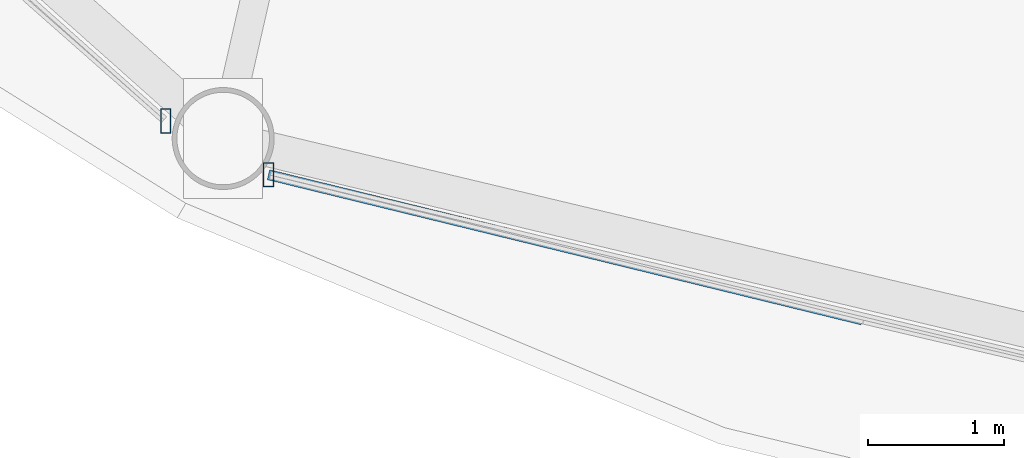
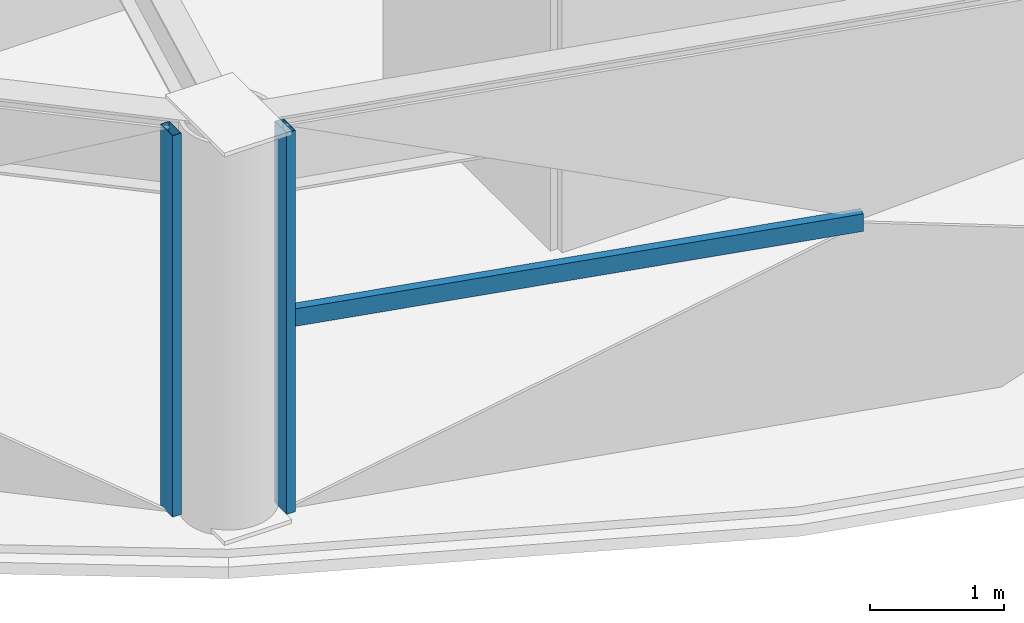
# One storey, part 2 of 29: 3 members, 2 elements without a shape of their own.
"""IFC4 building model written with IfcOpenShell, lengths in metres."""

from ifc_helpers import new_model, si_unit, direction, frame, origin, origin_2d, place, context, subcontext, project, spatial, hollow_rectangle, extrude, material, layer, layer_set, material_profile, profile_set, type_object, element, aggregate, save


model = new_model("IFC4")

# Units and contexts
model_context = context("Model", 3, precision=1e-05, world=origin(), true_north=direction((0.0, 1.0)))
body_context = subcontext(model_context, "Body", "Model", "MODEL_VIEW")
ifc_project = project(units=[si_unit("LENGTHUNIT", "METRE"), si_unit("AREAUNIT", "SQUARE_METRE"), si_unit("VOLUMEUNIT", "CUBIC_METRE"), si_unit("PLANEANGLEUNIT", "RADIAN"), si_unit("MASSUNIT", "GRAM", prefix="KILO")], contexts=[model_context])

# Site, building, storey
site_placement = place(None, origin())
site = spatial("IfcSite", under=ifc_project, at=site_placement, CompositionType="ELEMENT")
building_placement = place(site_placement, origin())
building = spatial("IfcBuilding", under=site, at=building_placement, Name="Vantalir Tower", CompositionType="ELEMENT")
storey_placement = place(building_placement, frame((0.0, 0.0, 168.449951171875)))
storey = spatial("IfcBuildingStorey", under=building, at=storey_placement, Name="L42", CompositionType="ELEMENT", Elevation=168.449951171875)

# Curtain wall, member
ifc_material_1 = material(Name="Champagne-silver PVDF aluminium and double-silver Low-E glass", Category="aluminium")
ifc_layer = layer(ifc_material_1, 0.199951171875)
ifc_layer_set = layer_set([ifc_layer], Name="Champagne-silver PVDF aluminium and double-silver Low-E glass")
curtain_wall_type = type_object("IfcCurtainWallType", Name="CW-DIAMOND-Z2", PredefinedType="USERDEFINED", material=ifc_layer_set)
curtain_wall_1_placement = place(storey_placement, origin())
curtain_wall_1 = element("IfcCurtainWall", 1, at=curtain_wall_1_placement, inside=storey, type_object=curtain_wall_type, Name="L42 Quilted Pyramid-Diamond Curtain Wall S08", ObjectType="UNITISED CURTAIN WALL", PredefinedType="USERDEFINED")
ifc_material_2 = material(Name="Champagne-silver PVDF aluminium 6063-T6", Category="aluminium")
ifc_material_profile_1 = material_profile(ifc_material_2, hollow_rectangle(XDim=0.074951171875, YDim=0.179931640625, WallThickness=0.00390625, at=origin_2d()), Name="Champagne-silver PVDF aluminium 6063-T6")
ifc_profile_set_1 = profile_set([ifc_material_profile_1], Name="Champagne-silver PVDF aluminium 6063-T6")
member_type_1 = type_object("IfcMemberType", Name="CWM-180x75", PredefinedType="MULLION", material=ifc_profile_set_1)
member_1_placement = place(storey_placement, frame((18.80908203125, 6.2080078125, 0.045166015625), z_axis=(0.0, 0.0, 1.0), x_axis=(1.0, 0.0, 0.0)))
member_1 = element("IfcMember", 2, at=member_1_placement, type_object=member_type_1, Name="CW-L42-S08 Mullion 2", PredefinedType="MULLION", context=body_context, shape_type="SweptSolid", body=[
    extrude(hollow_rectangle(XDim=0.074951171875, YDim=0.179931640625, WallThickness=0.00390625, at=origin_2d()), origin(), (0.0, 0.0, 1.0), 3.47998046875),
])
aggregate(curtain_wall_1, [member_1])

# Curtain wall, members
curtain_wall_2_placement = place(storey_placement, origin())
curtain_wall_2 = element("IfcCurtainWall", 3, at=curtain_wall_2_placement, inside=storey, type_object=curtain_wall_type, Name="L42 Quilted Pyramid-Diamond Curtain Wall S09", ObjectType="UNITISED CURTAIN WALL", PredefinedType="USERDEFINED")
member_2_placement = place(storey_placement, frame((19.56494140625, 5.81298828125, 0.045166015625), z_axis=(0.0, 0.0, 1.0), x_axis=(1.0, 0.0, 0.0)))
member_2 = element("IfcMember", 4, at=member_2_placement, type_object=member_type_1, Name="CW-L42-S09 Mullion 1", PredefinedType="MULLION", context=body_context, shape_type="SweptSolid", body=[
    extrude(hollow_rectangle(XDim=0.074951171875, YDim=0.179931640625, WallThickness=0.00390625, at=origin_2d()), origin(), (0.0, 0.0, 1.0), 3.47998046875),
])
ifc_material_profile_2 = material_profile(ifc_material_2, hollow_rectangle(XDim=0.074951171875, YDim=0.159912109375, WallThickness=0.00390625, at=origin_2d()), Name="Champagne-silver PVDF aluminium 6063-T6")
ifc_profile_set_2 = profile_set([ifc_material_profile_2], Name="Champagne-silver PVDF aluminium 6063-T6")
member_type_2 = type_object("IfcMemberType", Name="CWT-160x75", PredefinedType="USERDEFINED", material=ifc_profile_set_2)
member_3_placement = place(storey_placement, frame((19.56494140625, 5.81298828125, 1.78515625), z_axis=(0.971392042196, -0.237481578987, 0.0), x_axis=(0.237481578987, 0.971392042196, 0.0)))
member_3 = element("IfcMember", 5, at=member_3_placement, type_object=member_type_2, Name="CW-L42-S09 Pyramid Fold Ridge Transom", ObjectType="TRANSOM", PredefinedType="USERDEFINED", context=body_context, shape_type="SweptSolid", body=[
    extrude(hollow_rectangle(XDim=0.074951171875, YDim=0.159912109375, WallThickness=0.00390625, at=origin_2d()), origin(), (0.0, 0.0, 1.0), 4.492431640625),
])
aggregate(curtain_wall_2, [member_2, member_3])

save(model, "model.ifc")
